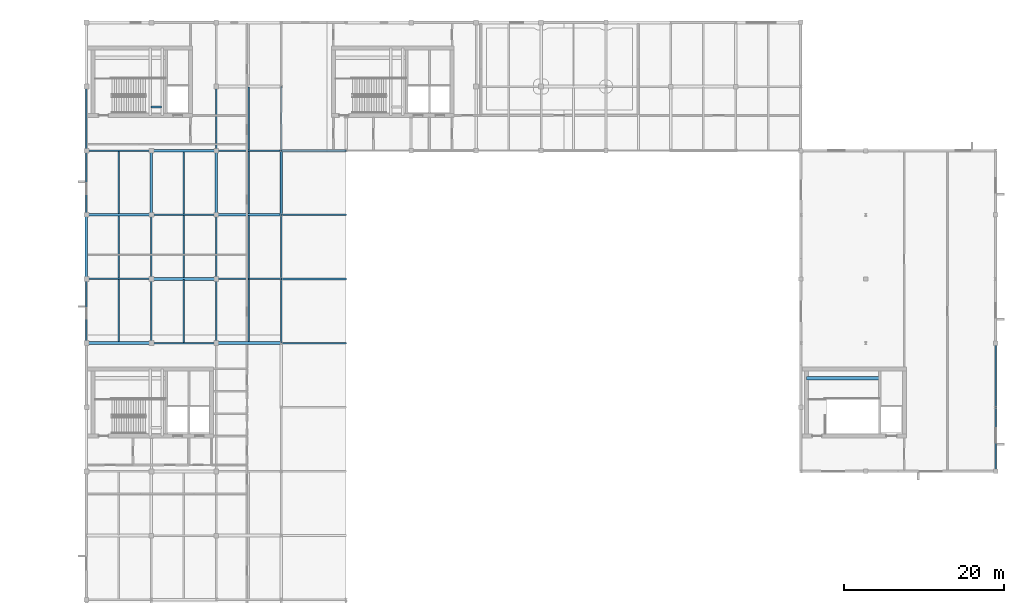
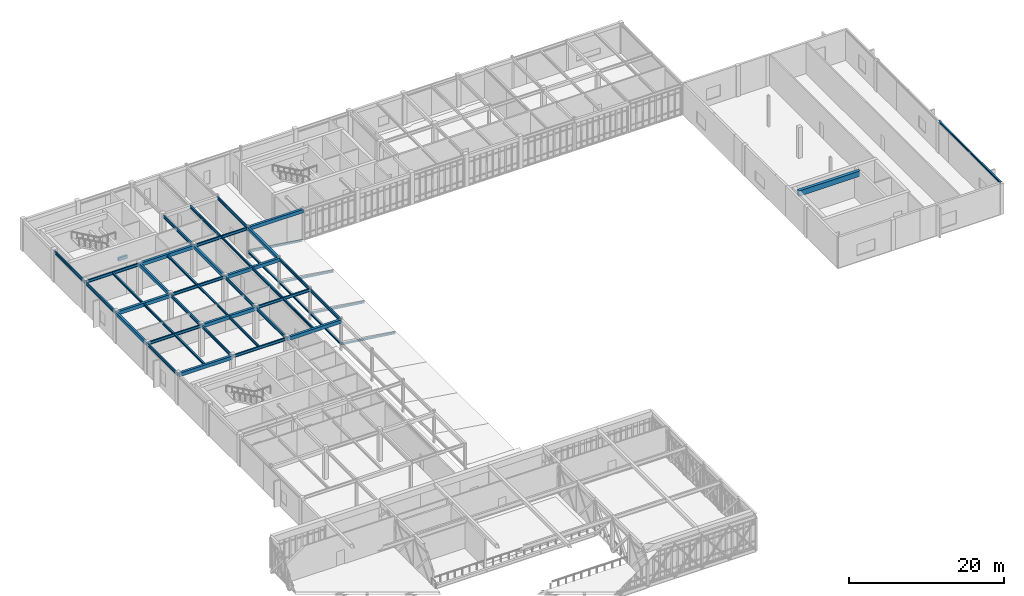
# One storey, part 21 of 70: 45 beams, 4 members.
"""IFC4 building model written with IfcOpenShell, lengths in metres."""

import ifcopenshell
import ifcopenshell.guid

model = None  # the IFC model being written
_history = None  # IfcOwnerHistory: only IFC2X3 demands one
_inside = {}  # id of a spatial element -> (the spatial element, [elements in it])
_under = {}  # id of a project, library or spatial element -> (it, [spatial elements below it])
_declared = {}  # id of a project -> (the project, [libraries it declares])
_typed = {}  # id of a type object -> (the type object, [elements of that type])
_made_of = {}  # id of a material, layer set ... -> (it, [elements and type objects made of it])


def new_model(schema):
    """Start an empty IFC model of exactly this schema.

    Asked for "IFC4X3", IfcOpenShell would pick the latest addendum, in which some entities
    have other attributes; the version numbers below select the first issue.
    IFC2X3 requires an IfcOwnerHistory on every rooted entity: one is made here for all.
    """
    global model, _history
    if schema == "IFC4X3":
        model = ifcopenshell.file(schema_version=(4, 3, 0, 0))
    else:
        model = ifcopenshell.file(schema=schema)
    _inside.clear()
    _under.clear()
    _declared.clear()
    _typed.clear()
    _made_of.clear()
    _history = None
    if model.schema == "IFC2X3":
        org = make("IfcOrganization", Name="unknown")
        user = make(
            "IfcPersonAndOrganization",
            ThePerson=make("IfcPerson", FamilyName="unknown"),
            TheOrganization=org,
        )
        app = make(
            "IfcApplication",
            ApplicationDeveloper=org,
            Version="unknown",
            ApplicationFullName="unknown",
            ApplicationIdentifier="unknown",
        )
        _history = make(
            "IfcOwnerHistory",
            OwningUser=user,
            OwningApplication=app,
            ChangeAction="ADDED",
            CreationDate=0,
        )
    return model


def make(cls, **values):
    """One entity of the class cls with the attributes given. An attribute that is None is left unset."""
    return model.create_entity(
        cls, **{name: value for name, value in values.items() if value is not None}
    )


def rooted(cls, **values):
    """An entity with a GlobalId (a new one), such as an element, a storey or a relation."""
    return make(cls, GlobalId=ifcopenshell.guid.new(), OwnerHistory=_history, **values)


def si_unit(unit_type, name, prefix=None):
    """IfcSIUnit, for example si_unit("LENGTHUNIT", "METRE", prefix="MILLI")."""
    return make("IfcSIUnit", UnitType=unit_type, Prefix=prefix, Name=name)


def assignment(units):
    """IfcUnitAssignment: the units of a project."""
    return None if units is None else make("IfcUnitAssignment", Units=units)


def point(xyz):
    """IfcCartesianPoint."""
    return None if xyz is None else make("IfcCartesianPoint", Coordinates=xyz)


def direction(xyz):
    """IfcDirection."""
    return None if xyz is None else make("IfcDirection", DirectionRatios=xyz)


def frame(location, z_axis=None, x_axis=None):
    """IfcAxis2Placement3D, a coordinate frame: its origin and axes. An axis left out is left unset."""
    return make(
        "IfcAxis2Placement3D",
        Location=point(location),
        Axis=direction(z_axis),
        RefDirection=direction(x_axis),
    )


def frame_2d(location, x_axis=None):
    """IfcAxis2Placement2D, a coordinate frame in the plane: its origin and x axis."""
    return make(
        "IfcAxis2Placement2D", Location=point(location), RefDirection=direction(x_axis)
    )


def origin():
    """The frame at (0, 0, 0) with its axes left unset."""
    return frame((0.0, 0.0, 0.0))


def origin_2d():
    """The frame at (0, 0) in the plane with its x axis left unset."""
    return frame_2d((0.0, 0.0))


def place(relative_to, where):
    """IfcLocalPlacement: puts the frame where relative to a parent placement (None: the world)."""
    return make(
        "IfcLocalPlacement", PlacementRelTo=relative_to, RelativePlacement=where
    )


def context(
    kind, dimensions, precision=None, world=None, true_north=None, identifier=None
):
    """IfcGeometricRepresentationContext, for example the 3D "Model" context."""
    return make(
        "IfcGeometricRepresentationContext",
        ContextIdentifier=identifier,
        ContextType=kind,
        CoordinateSpaceDimension=dimensions,
        Precision=precision,
        WorldCoordinateSystem=world,
        TrueNorth=true_north,
    )


def subcontext(parent, identifier, kind, view, scale=None):
    """IfcGeometricRepresentationSubContext, for example "Body" below "Model"."""
    return make(
        "IfcGeometricRepresentationSubContext",
        ContextIdentifier=identifier,
        ContextType=kind,
        ParentContext=parent,
        TargetScale=scale,
        TargetView=view,
    )


def project(units=None, contexts=None):
    """IfcProject with its units and contexts."""
    return rooted(
        "IfcProject",
        Name="project",
        RepresentationContexts=contexts,
        UnitsInContext=assignment(units),
    )


def spatial(cls, under=None, at=None, **own):
    """A site, building, storey or space (cls), placed at a placement, below another one or the project."""
    s = rooted(cls, ObjectPlacement=at, **own)
    if under is not None:
        _under.setdefault(under.id(), (under, []))[1].append(s)
    return s


def profile(cls, at=None, kind="AREA", **sizes):
    """A parametric profile (cls). Its sizes go by their IFC names, for example OverallWidth=200.0."""
    return make(cls, ProfileType=kind, Position=at, **sizes)


def rectangle(**sizes):
    """IfcRectangleProfileDef."""
    return profile("IfcRectangleProfileDef", **sizes)


def i_section(**sizes):
    """IfcIShapeProfileDef."""
    return profile("IfcIShapeProfileDef", **sizes)


def extrude(swept, where, along, depth):
    """IfcExtrudedAreaSolid: the profile swept, set in the frame where, extruded along a direction by depth."""
    return make(
        "IfcExtrudedAreaSolid",
        SweptArea=swept,
        Position=where,
        ExtrudedDirection=direction(along),
        Depth=depth,
    )


def shape(context_of_items, identifier, shape_type, items):
    """IfcShapeRepresentation: the items that make up one representation, for example the "Body"."""
    return make(
        "IfcShapeRepresentation",
        ContextOfItems=context_of_items,
        RepresentationIdentifier=identifier,
        RepresentationType=shape_type,
        Items=items,
    )


def material(Name=None, Category=None):
    """IfcMaterial."""
    return make("IfcMaterial", Name=Name, Category=Category)


def material_profile(
    of_material, cross_section, Name=None, Category=None, Priority=None
):
    """IfcMaterialProfile: a cross section and its material."""
    return make(
        "IfcMaterialProfile",
        Name=Name,
        Material=of_material,
        Profile=cross_section,
        Priority=Priority,
        Category=Category,
    )


def profile_set(profiles, Name=None, composite=None):
    """IfcMaterialProfileSet."""
    return make(
        "IfcMaterialProfileSet",
        Name=Name,
        MaterialProfiles=profiles,
        CompositeProfile=composite,
    )


def made_of(thing, what):
    """Note that an element or type object is made of a material, layer set ...; save() writes the relation."""
    if what is not None:
        _made_of.setdefault(what.id(), (what, []))[1].append(thing)
    return thing


def type_object(cls, material=None, **own):
    """A type object (cls), such as IfcWallType, which elements share."""
    return made_of(rooted(cls, **own), material)


def element(
    cls,
    number,
    at=None,
    inside=None,
    cuts=None,
    type_object=None,
    material=None,
    context=None,
    identifier="Body",
    shape_type=None,
    held_by="IfcProductDefinitionShape",
    body=None,
    shapes=None,
    **own,
):
    """One element of the class cls, such as IfcWall. Its Tag is "e" and its number.

    at: its placement. inside: the storey or other place that contains it. cuts: it is an
    opening in that element (IfcRelVoidsElement). A single representation is given by context,
    identifier, shape_type and body (its items); several are given by shapes. held_by: the class
    of the entity that holds the representations. save() writes the other relations.
    """
    e = rooted(cls, Tag="e%d" % number, ObjectPlacement=at, **own)
    if body is not None:
        shapes = [shape(context, identifier, shape_type, body)]
    if shapes is not None:
        e.Representation = make(held_by, Representations=shapes)
    if inside is not None:
        _inside.setdefault(inside.id(), (inside, []))[1].append(e)
    if cuts is not None:
        rooted(
            "IfcRelVoidsElement", RelatingBuildingElement=cuts, RelatedOpeningElement=e
        )
    if type_object is not None:
        _typed.setdefault(type_object.id(), (type_object, []))[1].append(e)
    return made_of(e, material)


def aggregate(whole, parts):
    """IfcRelAggregates: a whole, such as a stair, and the parts it consists of."""
    return rooted("IfcRelAggregates", RelatingObject=whole, RelatedObjects=parts)


def save(model, path):
    """Write the relations noted so far, then the file.

    IfcRelAggregates (storeys below a building ...), IfcRelContainedInSpatialStructure (elements
    in a storey), IfcRelDefinesByType, IfcRelAssociatesMaterial and IfcRelDeclares: one each for
    every whole, place, type object, material and project.
    """
    for whole, parts in _under.values():
        aggregate(whole, parts)
    for where, things in _inside.values():
        rooted(
            "IfcRelContainedInSpatialStructure",
            RelatedElements=things,
            RelatingStructure=where,
        )
    for kind, things in _typed.values():
        rooted("IfcRelDefinesByType", RelatedObjects=things, RelatingType=kind)
    for what, things in _made_of.values():
        rooted("IfcRelAssociatesMaterial", RelatedObjects=things, RelatingMaterial=what)
    for by, libraries in _declared.values():
        rooted("IfcRelDeclares", RelatingContext=by, RelatedDefinitions=libraries)
    model.write(path)


model = new_model("IFC4")

# Units and contexts
model_context = context("Model", 3, precision=1e-05, world=origin(), true_north=direction((0.0, 1.0)))
body_context = subcontext(model_context, "Body", "Model", "MODEL_VIEW")
ifc_project = project(units=[si_unit("LENGTHUNIT", "METRE"), si_unit("AREAUNIT", "SQUARE_METRE"), si_unit("VOLUMEUNIT", "CUBIC_METRE"), si_unit("PLANEANGLEUNIT", "RADIAN"), si_unit("MASSUNIT", "GRAM", prefix="KILO")], contexts=[model_context])

# Site, building, storey
site_placement = place(None, origin())
site = spatial("IfcSite", under=ifc_project, at=site_placement, CompositionType="ELEMENT")
building_placement = place(site_placement, origin())
building = spatial("IfcBuilding", under=site, at=building_placement, Name="Tarnveldt Square Police Headquarters", CompositionType="ELEMENT")
storey_placement = place(building_placement, frame((0.0, 0.0, 19.800048828125)))
storey = spatial("IfcBuildingStorey", under=building, at=storey_placement, Name="L04", CompositionType="ELEMENT", Elevation=19.800048828125)

# Beams
ifc_material_1 = material(Name="Concrete 50 MPa", Category="concrete")
ifc_material_profile_1 = material_profile(ifc_material_1, rectangle(XDim=0.449951171875, YDim=0.85009765625, at=origin_2d()), Name="RC-CB450x850")
ifc_profile_set_1 = profile_set([ifc_material_profile_1], Name="Concrete 50 MPa")
beam_type_1 = type_object("IfcBeamType", Name="BM-CB450x850", PredefinedType="BEAM", material=ifc_profile_set_1)
beam_1_placement = place(storey_placement, frame((106.0, 67.60009765625, 4.43505859375), z_axis=(1.0, 0.0, 0.0), x_axis=(0.0, 1.0, 0.0)))
element("IfcBeam", 1, at=beam_1_placement, inside=storey, type_object=beam_type_1, Name="Core K4 East Custody and Tactical Core L04 Ductile Coupling Beam", PredefinedType="BEAM", context=body_context, shape_type="SweptSolid", body=[
    extrude(rectangle(XDim=0.449951171875, YDim=0.85009765625, at=origin_2d()), origin(), (0.0, 0.0, 1.0), 9.14990234375),
])
ifc_material_2 = material(Name="Concrete 40 MPa", Category="concrete")
ifc_material_profile_2 = material_profile(ifc_material_2, rectangle(XDim=0.300048828125, YDim=0.5, at=origin_2d()), Name="RC-B300x500")
ifc_profile_set_2 = profile_set([ifc_material_profile_2], Name="Concrete 40 MPa")
beam_type_2 = type_object("IfcBeamType", Name="BM-RC300x500", PredefinedType="BEAM", material=ifc_profile_set_2)
beam_2_placement = place(storey_placement, frame((24.25, 101.449951171875, 2.099853515625), z_axis=(1.0, 0.0, 0.0), x_axis=(0.0, 1.0, 0.0)))
element("IfcBeam", 2, at=beam_2_placement, inside=storey, type_object=beam_type_2, Name="ST2 L04 Half-Landing Support Beam 2", PredefinedType="BEAM", context=body_context, shape_type="SweptSolid", body=[
    extrude(rectangle(XDim=0.300048828125, YDim=0.5, at=origin_2d()), origin(), (0.0, 0.0, 1.0), 1.300048828125),
])
for number, where, z_axis, x_axis, name in (
    (3, (16.199951171875, 80.0, 4.60986328125), (0.0, 1.0, 0.0), (-1.0, 0.0, 0.0), "L05 Grid Girder Y-0970"),
    (4, (24.300048828125, 88.0, 4.60986328125), (0.0, 1.0, 0.0), (-1.0, 0.0, 0.0), "L05 Grid Girder Y-0979"),
    (5, (32.39990234375, 88.0, 4.60986328125), (0.0, 1.0, 0.0), (-1.0, 0.0, 0.0), "L05 Grid Girder Y-0985"),
    (6, (40.5, 88.0, 4.60986328125), (0.0, 1.0, 0.0), (-1.0, 0.0, 0.0), "L05 Grid Girder Y-0994"),
):
    element("IfcBeam", number, at=place(storey_placement, frame(where, z_axis=z_axis, x_axis=x_axis)), inside=storey, type_object=beam_type_2, Name=name, PredefinedType="BEAM", context=body_context, shape_type="SweptSolid", body=[
        extrude(rectangle(XDim=0.300048828125, YDim=0.5, at=origin_2d()), origin(), (0.0, 0.0, 1.0), 8.0),
    ])
ifc_material_profile_3 = material_profile(ifc_material_2, rectangle(XDim=0.35009765625, YDim=0.550048828125, at=origin_2d()), Name="RC-B350x550")
ifc_profile_set_3 = profile_set([ifc_material_profile_3], Name="Concrete 40 MPa")
beam_type_3 = type_object("IfcBeamType", Name="BM-RC350x550", PredefinedType="BEAM", material=ifc_profile_set_3)
for number, where, z_axis, x_axis, name in (
    (7, (16.199951171875, 72.0, 4.5849609375), (1.0, 0.0, 0.0), (0.0, 1.0, 0.0), "L05 Grid Girder X-0928"),
    (8, (32.39990234375, 72.0, 4.5849609375), (1.0, 0.0, 0.0), (0.0, 1.0, 0.0), "L05 Grid Girder X-0930"),
):
    element("IfcBeam", number, at=place(storey_placement, frame(where, z_axis=z_axis, x_axis=x_axis)), inside=storey, type_object=beam_type_3, Name=name, PredefinedType="BEAM", context=body_context, shape_type="SweptSolid", body=[
        extrude(rectangle(XDim=0.35009765625, YDim=0.550048828125, at=origin_2d()), origin(), (0.0, 0.0, 1.0), 8.10009765625),
    ])
beam_3_placement = place(storey_placement, frame((24.300048828125, 80.0, 4.5849609375), z_axis=(1.0, 0.0, 0.0), x_axis=(0.0, 1.0, 0.0)))
element("IfcBeam", 9, at=beam_3_placement, inside=storey, type_object=beam_type_3, Name="L05 Grid Girder X-0932", PredefinedType="BEAM", context=body_context, shape_type="SweptSolid", body=[
    extrude(rectangle(XDim=0.35009765625, YDim=0.550048828125, at=origin_2d()), origin(), (0.0, 0.0, 1.0), 8.099853515625),
])
for number, where, z_axis, x_axis, name in (
    (10, (16.199951171875, 88.0, 4.5849609375), (1.0, 0.0, 0.0), (0.0, 1.0, 0.0), "L05 Grid Girder X-0934"),
    (11, (32.39990234375, 88.0, 4.5849609375), (1.0, 0.0, 0.0), (0.0, 1.0, 0.0), "L05 Grid Girder X-0936"),
):
    element("IfcBeam", number, at=place(storey_placement, frame(where, z_axis=z_axis, x_axis=x_axis)), inside=storey, type_object=beam_type_3, Name=name, PredefinedType="BEAM", context=body_context, shape_type="SweptSolid", body=[
        extrude(rectangle(XDim=0.35009765625, YDim=0.550048828125, at=origin_2d()), origin(), (0.0, 0.0, 1.0), 8.10009765625),
    ])
beam_4_placement = place(storey_placement, frame((24.300048828125, 96.0, 4.5849609375), z_axis=(1.0, 0.0, 0.0), x_axis=(0.0, 1.0, 0.0)))
element("IfcBeam", 12, at=beam_4_placement, inside=storey, type_object=beam_type_3, Name="L05 Grid Girder X-0938", PredefinedType="BEAM", context=body_context, shape_type="SweptSolid", body=[
    extrude(rectangle(XDim=0.35009765625, YDim=0.550048828125, at=origin_2d()), origin(), (0.0, 0.0, 1.0), 8.099853515625),
])
beam_5_placement = place(storey_placement, frame((40.5, 96.0, 4.5849609375), z_axis=(1.0, 0.0, 0.0), x_axis=(0.0, 1.0, 0.0)))
element("IfcBeam", 13, at=beam_5_placement, inside=storey, type_object=beam_type_3, Name="L05 Grid Girder X-0940", PredefinedType="BEAM", context=body_context, shape_type="SweptSolid", body=[
    extrude(rectangle(XDim=0.35009765625, YDim=0.550048828125, at=origin_2d()), origin(), (0.0, 0.0, 1.0), 8.10009765625),
])
ifc_material_3 = material(Name="Steel 350W", Category="steel")
ifc_material_profile_4 = material_profile(ifc_material_3, i_section(OverallWidth=0.202880859375, OverallDepth=0.302978515625, WebThickness=0.007568359375, FlangeThickness=0.01318359375, FilletRadius=0.014892578125, at=origin_2d()), Name="W310x60")
ifc_profile_set_4 = profile_set([ifc_material_profile_4], Name="Steel 350W")
beam_type_4 = type_object("IfcBeamType", Name="BM-W310x60", PredefinedType="JOIST", material=ifc_profile_set_4)
for number, where, z_axis, x_axis, name in (
    (14, (20.25, 72.080078125, 4.70849609375), (0.0, 1.0, 0.0), (-1.0, 0.0, 0.0), "L05 Secondary Floor Joist 0216"),
    (15, (28.35009765625, 80.080078125, 4.70849609375), (0.0, 1.0, 0.0), (-1.0, 0.0, 0.0), "L05 Secondary Floor Joist 0220"),
    (16, (36.449951171875, 88.080078125, 4.70849609375), (0.0, 1.0, 0.0), (-1.0, 0.0, 0.0), "L05 Secondary Floor Joist 0224"),
):
    element("IfcBeam", number, at=place(storey_placement, frame(where, z_axis=z_axis, x_axis=x_axis)), inside=storey, type_object=beam_type_4, Name=name, PredefinedType="JOIST", context=body_context, shape_type="SweptSolid", body=[
        extrude(i_section(OverallWidth=0.202880859375, OverallDepth=0.302978515625, WebThickness=0.007568359375, FlangeThickness=0.01318359375, FilletRadius=0.014892578125, at=origin_2d()), origin(), (0.0, 0.0, 1.0), 7.83984375),
    ])
for number, where, z_axis, x_axis, name in (
    (17, (129.60009765625, 56.0, 4.820068359375), (0.0, 1.0, 0.0), (-1.0, 0.0, 0.0), "Tactical Wing Eave Beam 1"),
    (18, (129.60009765625, 64.0, 4.820068359375), (0.0, 1.0, 0.0), (-1.0, 0.0, 0.0), "Tactical Wing Eave Beam 2"),
    (19, (40.5, 72.0, 0.93994140625), (0.0, 1.0, 0.0), (-1.0, 0.0, 0.0), "Winter-Garden High-Eave Beam 5"),
    (20, (40.5, 80.0, 0.93994140625), (0.0, 1.0, 0.0), (-1.0, 0.0, 0.0), "Winter-Garden High-Eave Beam 6"),
    (21, (40.5, 88.0, 0.93994140625), (0.0, 1.0, 0.0), (-1.0, 0.0, 0.0), "Winter-Garden High-Eave Beam 7"),
):
    element("IfcBeam", number, at=place(storey_placement, frame(where, z_axis=z_axis, x_axis=x_axis)), inside=storey, type_object=beam_type_4, Name=name, PredefinedType="JOIST", context=body_context, shape_type="SweptSolid", body=[
        extrude(i_section(OverallWidth=0.202880859375, OverallDepth=0.302978515625, WebThickness=0.007568359375, FlangeThickness=0.01318359375, FilletRadius=0.014892578125, at=origin_2d()), origin(), (0.0, 0.0, 1.0), 8.0),
    ])
ifc_material_profile_5 = material_profile(ifc_material_3, i_section(OverallWidth=0.202880859375, OverallDepth=0.346923828125, WebThickness=0.0078125, FlangeThickness=0.013427734375, FilletRadius=0.01611328125, at=origin_2d()), Name="W360x64")
ifc_profile_set_5 = profile_set([ifc_material_profile_5], Name="Steel 350W")
beam_type_5 = type_object("IfcBeamType", Name="BM-W360x64", PredefinedType="JOIST", material=ifc_profile_set_5)
for number, where, z_axis, x_axis, name in (
    (22, (20.25, 80.080078125, 4.6865234375), (0.0, 1.0, 0.0), (-1.0, 0.0, 0.0), "L05 Secondary Floor Joist 0219"),
    (23, (28.35009765625, 88.080078125, 4.6865234375), (0.0, 1.0, 0.0), (-1.0, 0.0, 0.0), "L05 Secondary Floor Joist 0223"),
):
    element("IfcBeam", number, at=place(storey_placement, frame(where, z_axis=z_axis, x_axis=x_axis)), inside=storey, type_object=beam_type_5, Name=name, PredefinedType="JOIST", context=body_context, shape_type="SweptSolid", body=[
        extrude(i_section(OverallWidth=0.202880859375, OverallDepth=0.346923828125, WebThickness=0.0078125, FlangeThickness=0.013427734375, FilletRadius=0.01611328125, at=origin_2d()), origin(), (0.0, 0.0, 1.0), 7.83984375),
    ])
ifc_material_profile_6 = material_profile(ifc_material_3, i_section(OverallWidth=0.205078125, OverallDepth=0.35400390625, WebThickness=0.009521484375, FlangeThickness=0.016845703125, FilletRadius=0.01611328125, at=origin_2d()), Name="W360x79")
ifc_profile_set_6 = profile_set([ifc_material_profile_6], Name="Steel 350W")
beam_type_6 = type_object("IfcBeamType", Name="BM-W360x79", PredefinedType="JOIST", material=ifc_profile_set_6)
for number, where, z_axis, x_axis, name in (
    (24, (36.449951171875, 72.080078125, 4.682861328125), (0.0, 1.0, 0.0), (-1.0, 0.0, 0.0), "L05 Secondary Floor Joist 0218"),
    (25, (20.25, 88.080078125, 4.682861328125), (0.0, 1.0, 0.0), (-1.0, 0.0, 0.0), "L05 Secondary Floor Joist 0222"),
):
    element("IfcBeam", number, at=place(storey_placement, frame(where, z_axis=z_axis, x_axis=x_axis)), inside=storey, type_object=beam_type_6, Name=name, PredefinedType="JOIST", context=body_context, shape_type="SweptSolid", body=[
        extrude(i_section(OverallWidth=0.205078125, OverallDepth=0.35400390625, WebThickness=0.009521484375, FlangeThickness=0.016845703125, FilletRadius=0.01611328125, at=origin_2d()), origin(), (0.0, 0.0, 1.0), 7.83984375),
    ])
ifc_material_profile_7 = material_profile(ifc_material_3, i_section(OverallWidth=0.177978515625, OverallDepth=0.406982421875, WebThickness=0.0078125, FlangeThickness=0.0126953125, FilletRadius=0.01611328125, at=origin_2d()), Name="W410x60")
ifc_profile_set_7 = profile_set([ifc_material_profile_7], Name="Steel 350W")
beam_type_7 = type_object("IfcBeamType", Name="BM-W410x60", PredefinedType="JOIST", material=ifc_profile_set_7)
for number, where, z_axis, x_axis, name in (
    (26, (28.35009765625, 72.080078125, 4.656494140625), (0.0, 1.0, 0.0), (-1.0, 0.0, 0.0), "L05 Secondary Floor Joist 0217"),
    (27, (36.449951171875, 80.080078125, 4.656494140625), (0.0, 1.0, 0.0), (-1.0, 0.0, 0.0), "L05 Secondary Floor Joist 0221"),
    (28, (36.449951171875, 96.080078125, 4.656494140625), (0.0, 1.0, 0.0), (-1.0, 0.0, 0.0), "L05 Secondary Floor Joist 0225"),
):
    element("IfcBeam", number, at=place(storey_placement, frame(where, z_axis=z_axis, x_axis=x_axis)), inside=storey, type_object=beam_type_7, Name=name, PredefinedType="JOIST", context=body_context, shape_type="SweptSolid", body=[
        extrude(i_section(OverallWidth=0.177978515625, OverallDepth=0.406982421875, WebThickness=0.0078125, FlangeThickness=0.0126953125, FilletRadius=0.01611328125, at=origin_2d()), origin(), (0.0, 0.0, 1.0), 7.83984375),
    ])
ifc_material_profile_8 = material_profile(ifc_material_3, i_section(OverallWidth=0.19189453125, OverallDepth=0.462890625, WebThickness=0.010498046875, FlangeThickness=0.017578125, FilletRadius=0.01806640625, at=origin_2d()), Name="W460x89")
ifc_profile_set_8 = profile_set([ifc_material_profile_8], Name="Steel 350W")
beam_type_8 = type_object("IfcBeamType", Name="BM-W460x89", PredefinedType="BEAM", material=ifc_profile_set_8)
beam_6_placement = place(storey_placement, frame((24.300048828125, 72.0, 4.62841796875), z_axis=(1.0, 0.0, 0.0), x_axis=(0.0, 1.0, 0.0)))
element("IfcBeam", 29, at=beam_6_placement, inside=storey, type_object=beam_type_8, Name="L05 Grid Girder X-0929", PredefinedType="BEAM", context=body_context, shape_type="SweptSolid", body=[
    extrude(i_section(OverallWidth=0.19189453125, OverallDepth=0.462890625, WebThickness=0.010498046875, FlangeThickness=0.017578125, FilletRadius=0.01806640625, at=origin_2d()), origin(), (0.0, 0.0, 1.0), 8.099853515625),
])
for number, where, z_axis, x_axis, name in (
    (30, (16.199951171875, 80.0, 4.62841796875), (1.0, 0.0, 0.0), (0.0, 1.0, 0.0), "L05 Grid Girder X-0931"),
    (31, (32.39990234375, 80.0, 4.62841796875), (1.0, 0.0, 0.0), (0.0, 1.0, 0.0), "L05 Grid Girder X-0933"),
):
    element("IfcBeam", number, at=place(storey_placement, frame(where, z_axis=z_axis, x_axis=x_axis)), inside=storey, type_object=beam_type_8, Name=name, PredefinedType="BEAM", context=body_context, shape_type="SweptSolid", body=[
        extrude(i_section(OverallWidth=0.19189453125, OverallDepth=0.462890625, WebThickness=0.010498046875, FlangeThickness=0.017578125, FilletRadius=0.01806640625, at=origin_2d()), origin(), (0.0, 0.0, 1.0), 8.10009765625),
    ])
beam_7_placement = place(storey_placement, frame((24.300048828125, 88.0, 4.62841796875), z_axis=(1.0, 0.0, 0.0), x_axis=(0.0, 1.0, 0.0)))
element("IfcBeam", 32, at=beam_7_placement, inside=storey, type_object=beam_type_8, Name="L05 Grid Girder X-0935", PredefinedType="BEAM", context=body_context, shape_type="SweptSolid", body=[
    extrude(i_section(OverallWidth=0.19189453125, OverallDepth=0.462890625, WebThickness=0.010498046875, FlangeThickness=0.017578125, FilletRadius=0.01806640625, at=origin_2d()), origin(), (0.0, 0.0, 1.0), 8.099853515625),
])
for number, where, z_axis, x_axis, name in (
    (33, (16.199951171875, 96.0, 4.62841796875), (1.0, 0.0, 0.0), (0.0, 1.0, 0.0), "L05 Grid Girder X-0937"),
    (34, (32.39990234375, 96.0, 4.62841796875), (1.0, 0.0, 0.0), (0.0, 1.0, 0.0), "L05 Grid Girder X-0939"),
):
    element("IfcBeam", number, at=place(storey_placement, frame(where, z_axis=z_axis, x_axis=x_axis)), inside=storey, type_object=beam_type_8, Name=name, PredefinedType="BEAM", context=body_context, shape_type="SweptSolid", body=[
        extrude(i_section(OverallWidth=0.19189453125, OverallDepth=0.462890625, WebThickness=0.010498046875, FlangeThickness=0.017578125, FilletRadius=0.01806640625, at=origin_2d()), origin(), (0.0, 0.0, 1.0), 8.10009765625),
    ])
for number, where, z_axis, x_axis, name in (
    (35, (16.199951171875, 72.0, 4.62841796875), (0.0, 1.0, 0.0), (-1.0, 0.0, 0.0), "L05 Grid Girder Y-0969"),
    (36, (16.199951171875, 88.0, 4.62841796875), (0.0, 1.0, 0.0), (-1.0, 0.0, 0.0), "L05 Grid Girder Y-0971"),
    (37, (16.199951171875, 96.0, 4.62841796875), (0.0, 1.0, 0.0), (-1.0, 0.0, 0.0), "L05 Grid Girder Y-0972"),
    (38, (24.300048828125, 72.0, 4.62841796875), (0.0, 1.0, 0.0), (-1.0, 0.0, 0.0), "L05 Grid Girder Y-0977"),
    (39, (24.300048828125, 80.0, 4.62841796875), (0.0, 1.0, 0.0), (-1.0, 0.0, 0.0), "L05 Grid Girder Y-0978"),
    (40, (32.39990234375, 72.0, 4.62841796875), (0.0, 1.0, 0.0), (-1.0, 0.0, 0.0), "L05 Grid Girder Y-0983"),
    (41, (32.39990234375, 80.0, 4.62841796875), (0.0, 1.0, 0.0), (-1.0, 0.0, 0.0), "L05 Grid Girder Y-0984"),
    (42, (32.39990234375, 96.0, 4.62841796875), (0.0, 1.0, 0.0), (-1.0, 0.0, 0.0), "L05 Grid Girder Y-0986"),
    (43, (40.5, 72.0, 4.62841796875), (0.0, 1.0, 0.0), (-1.0, 0.0, 0.0), "L05 Grid Girder Y-0992"),
    (44, (40.5, 80.0, 4.62841796875), (0.0, 1.0, 0.0), (-1.0, 0.0, 0.0), "L05 Grid Girder Y-0993"),
    (45, (40.5, 96.0, 4.62841796875), (0.0, 1.0, 0.0), (-1.0, 0.0, 0.0), "L05 Grid Girder Y-0995"),
):
    element("IfcBeam", number, at=place(storey_placement, frame(where, z_axis=z_axis, x_axis=x_axis)), inside=storey, type_object=beam_type_8, Name=name, PredefinedType="BEAM", context=body_context, shape_type="SweptSolid", body=[
        extrude(i_section(OverallWidth=0.19189453125, OverallDepth=0.462890625, WebThickness=0.010498046875, FlangeThickness=0.017578125, FilletRadius=0.01806640625, at=origin_2d()), origin(), (0.0, 0.0, 1.0), 8.0),
    ])

# Members
ifc_material_profile_9 = material_profile(ifc_material_3, i_section(OverallWidth=0.202880859375, OverallDepth=0.302978515625, WebThickness=0.007568359375, FlangeThickness=0.01318359375, FilletRadius=0.014892578125, at=origin_2d()), Name="W310x60")
ifc_profile_set_9 = profile_set([ifc_material_profile_9], Name="Steel 350W")
member_type = type_object("IfcMemberType", Name="MEM-L07-RAF", PredefinedType="RAFTER", material=ifc_profile_set_9)
for number, where, z_axis, x_axis, name in (
    (46, (40.5, 72.0, 0.93994140625), (0.991544993186, 0.0, -0.129763348014), (0.0, 1.0, 0.0), "Winter-Garden Roof Rafter 5"),
    (47, (40.5, 80.0, 0.93994140625), (0.991544993186, 0.0, -0.129763348014), (0.0, 1.0, 0.0), "Winter-Garden Roof Rafter 6"),
    (48, (40.5, 88.0, 0.93994140625), (0.991544993186, 0.0, -0.129763348014), (0.0, 1.0, 0.0), "Winter-Garden Roof Rafter 7"),
    (49, (40.5, 96.0, 0.93994140625), (0.991544993186, 0.0, -0.129763348014), (0.0, 1.0, 0.0), "Winter-Garden Roof North Rafter"),
):
    element("IfcMember", number, at=place(storey_placement, frame(where, z_axis=z_axis, x_axis=x_axis)), inside=storey, type_object=member_type, Name=name, PredefinedType="RAFTER", context=body_context, shape_type="SweptSolid", body=[
        extrude(i_section(OverallWidth=0.202880859375, OverallDepth=0.302978515625, WebThickness=0.007568359375, FlangeThickness=0.01318359375, FilletRadius=0.014892578125, at=origin_2d()), origin(), (0.0, 0.0, 1.0), 8.169189453125),
    ])

save(model, "model.ifc")
